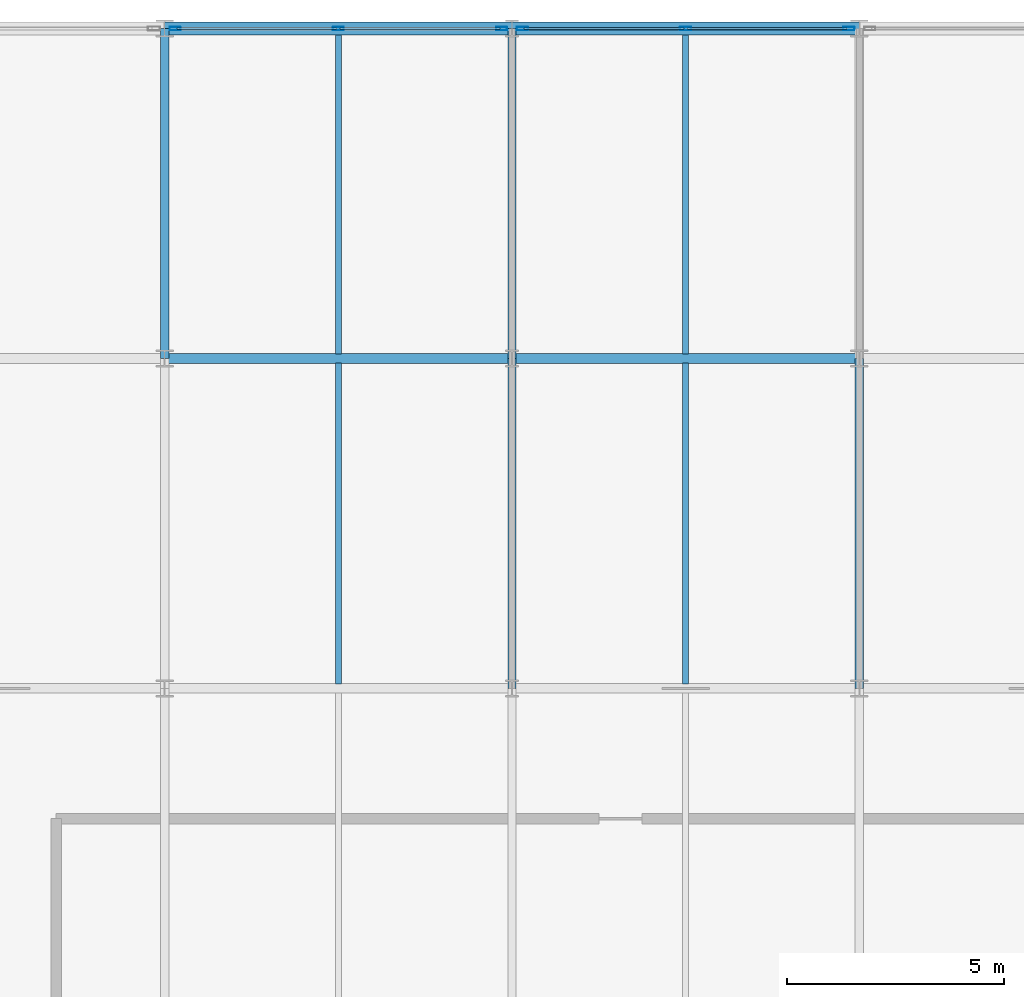
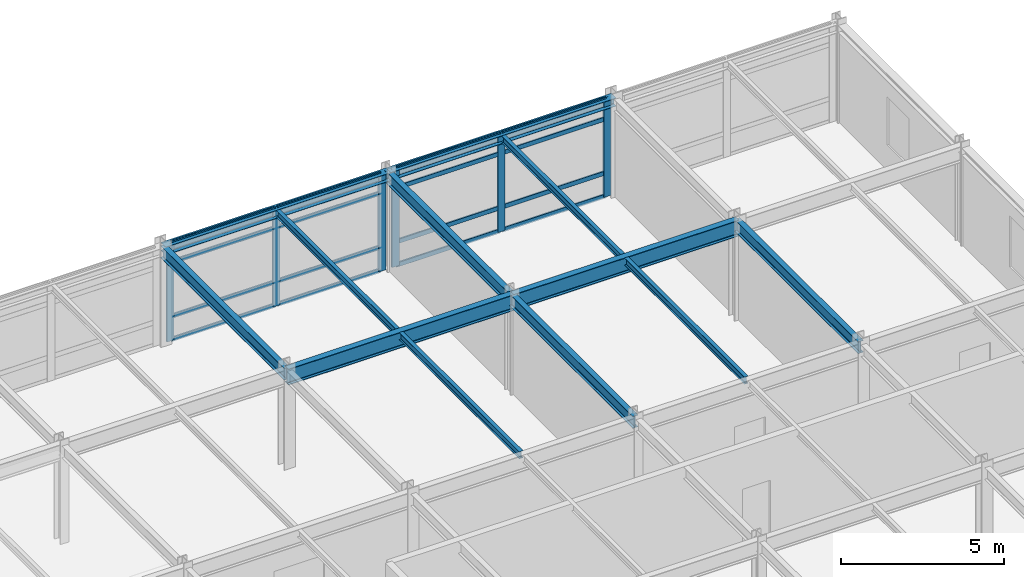
# One storey, part 8 of 14: 22 members, 12 beams, 2 elements without a shape of their own.
"""IFC4 building model written with IfcOpenShell, lengths in metres."""

from ifc_helpers import new_model, si_unit, direction, frame, origin, origin_2d, place, context, subcontext, project, spatial, hollow_rectangle, i_section, extrude, material, layer, layer_set, material_profile, profile_set, type_object, element, aggregate, save


model = new_model("IFC4")

# Units and contexts
model_context = context("Model", 3, precision=1e-05, world=origin(), true_north=direction((0.0, 1.0)))
body_context = subcontext(model_context, "Body", "Model", "MODEL_VIEW")
ifc_project = project(units=[si_unit("LENGTHUNIT", "METRE"), si_unit("AREAUNIT", "SQUARE_METRE"), si_unit("VOLUMEUNIT", "CUBIC_METRE"), si_unit("PLANEANGLEUNIT", "RADIAN"), si_unit("MASSUNIT", "GRAM", prefix="KILO")], contexts=[model_context])

# Site, building, storey
site_placement = place(None, origin())
site = spatial("IfcSite", under=ifc_project, at=site_placement, CompositionType="ELEMENT")
building_placement = place(site_placement, origin())
building = spatial("IfcBuilding", under=site, at=building_placement, Name="Shalkamar Park Central Library", CompositionType="ELEMENT")
storey_placement = place(building_placement, frame((0.0, 0.0, 32.10009765625)))
storey = spatial("IfcBuildingStorey", under=building, at=storey_placement, Name="L08", CompositionType="ELEMENT", Elevation=32.10009765625)

# Beams
ifc_material_1 = material(Name="Steel S355", Category="steel")
ifc_material_profile_1 = material_profile(ifc_material_1, i_section(OverallWidth=0.135009765625, OverallDepth=0.27001953125, WebThickness=0.006591796875, FlangeThickness=0.01025390625, FilletRadius=0.014892578125, at=origin_2d()), Name="IPE 270")
ifc_profile_set_1 = profile_set([ifc_material_profile_1], Name="Steel S355")
beam_type_1 = type_object("IfcBeamType", Name="Composite Floor Joist IPE270", PredefinedType="JOIST", material=ifc_profile_set_1)
beam_1_placement = place(storey_placement, frame((201.0, 278.10791015625, 3.544921875), z_axis=(0.0, 1.0, 0.0), x_axis=(-1.0, 0.0, 0.0)))
element("IfcBeam", 1, at=beam_1_placement, inside=storey, type_object=beam_type_1, Name="Composite Joist 11/F-1 (L08)", PredefinedType="JOIST", context=body_context, shape_type="SweptSolid", body=[
    extrude(i_section(OverallWidth=0.135009765625, OverallDepth=0.27001953125, WebThickness=0.006591796875, FlangeThickness=0.01025390625, FilletRadius=0.014892578125, at=origin_2d()), origin(), (0.0, 0.0, 1.0), 7.384033203125),
])
beam_2_placement = place(storey_placement, frame((201.0, 285.7080078125, 3.544921875), z_axis=(0.0, 1.0, 0.0), x_axis=(-1.0, 0.0, 0.0)))
element("IfcBeam", 2, at=beam_2_placement, inside=storey, type_object=beam_type_1, Name="Composite Joist 11/G-1 (L08)", PredefinedType="JOIST", context=body_context, shape_type="SweptSolid", body=[
    extrude(i_section(OverallWidth=0.135009765625, OverallDepth=0.27001953125, WebThickness=0.006591796875, FlangeThickness=0.01025390625, FilletRadius=0.014892578125, at=origin_2d()), origin(), (0.0, 0.0, 1.0), 7.343994140625),
])
beam_3_placement = place(storey_placement, frame((209.0, 278.10791015625, 3.544921875), z_axis=(0.0, 1.0, 0.0), x_axis=(-1.0, 0.0, 0.0)))
element("IfcBeam", 3, at=beam_3_placement, inside=storey, type_object=beam_type_1, Name="Composite Joist 12/F-1 (L08)", PredefinedType="JOIST", context=body_context, shape_type="SweptSolid", body=[
    extrude(i_section(OverallWidth=0.135009765625, OverallDepth=0.27001953125, WebThickness=0.006591796875, FlangeThickness=0.01025390625, FilletRadius=0.014892578125, at=origin_2d()), origin(), (0.0, 0.0, 1.0), 7.384033203125),
])
beam_4_placement = place(storey_placement, frame((209.0, 285.7080078125, 3.544921875), z_axis=(0.0, 1.0, 0.0), x_axis=(-1.0, 0.0, 0.0)))
element("IfcBeam", 4, at=beam_4_placement, inside=storey, type_object=beam_type_1, Name="Composite Joist 12/G-1 (L08)", PredefinedType="JOIST", context=body_context, shape_type="SweptSolid", body=[
    extrude(i_section(OverallWidth=0.135009765625, OverallDepth=0.27001953125, WebThickness=0.006591796875, FlangeThickness=0.01025390625, FilletRadius=0.014892578125, at=origin_2d()), origin(), (0.0, 0.0, 1.0), 7.343994140625),
])

# Curtain wall, members
ifc_material_2 = material(Name="Thermally broken aluminium and triple low-e curtain wall", Category="aluminium")
ifc_layer_1 = layer(ifc_material_2, 0.25)
ifc_layer_set_1 = layer_set([ifc_layer_1], Name="UnitisedCurtainWall_79")
curtain_wall_type_1 = type_object("IfcCurtainWallType", Name="Unitised Curtain Wall 79", PredefinedType="USERDEFINED", material=ifc_layer_set_1)
curtain_wall_1_placement = place(storey_placement, origin())
curtain_wall_1 = element("IfcCurtainWall", 5, at=curtain_wall_1_placement, inside=storey, type_object=curtain_wall_type_1, Name="Unitised Curtain Wall CW-L08-109", ObjectType="UNITISED CURTAIN WALL", PredefinedType="USERDEFINED")
ifc_material_3 = material(Name="Aluminium 6060-T66", Category="aluminium")
ifc_material_profile_2 = material_profile(ifc_material_3, hollow_rectangle(XDim=0.074951171875, YDim=0.25, WallThickness=0.00390625, InnerFilletRadius=0.00390625, OuterFilletRadius=0.006103515625, at=origin_2d()), Name="ALU 75x250x4")
ifc_profile_set_2 = profile_set([ifc_material_profile_2], Name="Aluminium 6060-T66")
member_type_1 = type_object("IfcMemberType", Name="Curtain Wall Mullion ALU75x250", PredefinedType="MULLION", material=ifc_profile_set_2)
member_1_placement = place(storey_placement, frame((197.240478515625, 293.199951171875, 0.0), z_axis=(0.0, 0.0, 1.0), x_axis=(0.0, 1.0, 0.0)))
member_1 = element("IfcMember", 6, at=member_1_placement, type_object=member_type_1, Name="CW-79 mullion 1", PredefinedType="MULLION", context=body_context, shape_type="SweptSolid", body=[
    extrude(hollow_rectangle(XDim=0.074951171875, YDim=0.25, WallThickness=0.00390625, InnerFilletRadius=0.00390625, OuterFilletRadius=0.006103515625, at=origin_2d()), origin(), (0.0, 0.0, 1.0), 3.679931640625),
])
member_2_placement = place(storey_placement, frame((201.000732421875, 293.199951171875, 0.0), z_axis=(0.0, 0.0, 1.0), x_axis=(0.0, 1.0, 0.0)))
member_2 = element("IfcMember", 7, at=member_2_placement, type_object=member_type_1, Name="CW-79 mullion 2", PredefinedType="MULLION", context=body_context, shape_type="SweptSolid", body=[
    extrude(hollow_rectangle(XDim=0.074951171875, YDim=0.25, WallThickness=0.00390625, InnerFilletRadius=0.00390625, OuterFilletRadius=0.006103515625, at=origin_2d()), origin(), (0.0, 0.0, 1.0), 3.679931640625),
])
member_3_placement = place(storey_placement, frame((204.760986328125, 293.199951171875, 0.0), z_axis=(0.0, 0.0, 1.0), x_axis=(0.0, 1.0, 0.0)))
member_3 = element("IfcMember", 8, at=member_3_placement, type_object=member_type_1, Name="CW-79 mullion 3", PredefinedType="MULLION", context=body_context, shape_type="SweptSolid", body=[
    extrude(hollow_rectangle(XDim=0.074951171875, YDim=0.25, WallThickness=0.00390625, InnerFilletRadius=0.00390625, OuterFilletRadius=0.006103515625, at=origin_2d()), origin(), (0.0, 0.0, 1.0), 3.679931640625),
])

ifc_layer_2 = layer(ifc_material_2, 0.260009765625)
ifc_layer_set_2 = layer_set([ifc_layer_2], Name="UnitisedCurtainWall_80")
curtain_wall_type_2 = type_object("IfcCurtainWallType", Name="Unitised Curtain Wall 80", PredefinedType="USERDEFINED", material=ifc_layer_set_2)
curtain_wall_2_placement = place(storey_placement, origin())
curtain_wall_2 = element("IfcCurtainWall", 9, at=curtain_wall_2_placement, inside=storey, type_object=curtain_wall_type_2, Name="Unitised Curtain Wall CW-L08-110", ObjectType="UNITISED CURTAIN WALL", PredefinedType="USERDEFINED")
ifc_material_profile_3 = material_profile(ifc_material_3, hollow_rectangle(XDim=0.074951171875, YDim=0.260009765625, WallThickness=0.00439453125, InnerFilletRadius=0.00439453125, OuterFilletRadius=0.0068359375, at=origin_2d()), Name="ALU 75x260x4.5")
ifc_profile_set_3 = profile_set([ifc_material_profile_3], Name="Aluminium 6060-T66")
member_type_2 = type_object("IfcMemberType", Name="Curtain Wall Mullion ALU75x260", PredefinedType="MULLION", material=ifc_profile_set_3)
member_4_placement = place(storey_placement, frame((205.239013671875, 293.199951171875, 0.0), z_axis=(0.0, 0.0, 1.0), x_axis=(0.0, 1.0, 0.0)))
member_4 = element("IfcMember", 10, at=member_4_placement, type_object=member_type_2, Name="CW-80 mullion 1", PredefinedType="MULLION", context=body_context, shape_type="SweptSolid", body=[
    extrude(hollow_rectangle(XDim=0.074951171875, YDim=0.260009765625, WallThickness=0.00439453125, InnerFilletRadius=0.00439453125, OuterFilletRadius=0.0068359375, at=origin_2d()), origin(), (0.0, 0.0, 1.0), 3.679931640625),
])
member_5_placement = place(storey_placement, frame((208.999267578125, 293.199951171875, 0.0), z_axis=(0.0, 0.0, 1.0), x_axis=(0.0, 1.0, 0.0)))
member_5 = element("IfcMember", 11, at=member_5_placement, type_object=member_type_2, Name="CW-80 mullion 2", PredefinedType="MULLION", context=body_context, shape_type="SweptSolid", body=[
    extrude(hollow_rectangle(XDim=0.074951171875, YDim=0.260009765625, WallThickness=0.00439453125, InnerFilletRadius=0.00439453125, OuterFilletRadius=0.0068359375, at=origin_2d()), origin(), (0.0, 0.0, 1.0), 3.679931640625),
])
member_6_placement = place(storey_placement, frame((212.759521484375, 293.199951171875, 0.0), z_axis=(0.0, 0.0, 1.0), x_axis=(0.0, 1.0, 0.0)))
member_6 = element("IfcMember", 12, at=member_6_placement, type_object=member_type_2, Name="CW-80 mullion 3", PredefinedType="MULLION", context=body_context, shape_type="SweptSolid", body=[
    extrude(hollow_rectangle(XDim=0.074951171875, YDim=0.260009765625, WallThickness=0.00439453125, InnerFilletRadius=0.00439453125, OuterFilletRadius=0.0068359375, at=origin_2d()), origin(), (0.0, 0.0, 1.0), 3.679931640625),
])

# Member
ifc_material_profile_4 = material_profile(ifc_material_3, hollow_rectangle(XDim=0.06005859375, YDim=0.159912109375, WallThickness=0.00390625, InnerFilletRadius=0.00390625, OuterFilletRadius=0.006103515625, at=origin_2d()), Name="ALU 60x160x4")
ifc_profile_set_4 = profile_set([ifc_material_profile_4], Name="Aluminium 6060-T66")
member_type_3 = type_object("IfcMemberType", Name="Curtain Wall Transom ALU60x160", PredefinedType="USERDEFINED", material=ifc_profile_set_4)
member_7_placement = place(storey_placement, frame((197.278076171875, 293.199951171875, 0.02978515625), z_axis=(1.0, 0.0, 0.0), x_axis=(0.0, 1.0, 0.0)))
member_7 = element("IfcMember", 13, at=member_7_placement, type_object=member_type_3, Name="CW-79 transom 1.1", ObjectType="TRANSOM", PredefinedType="USERDEFINED", context=body_context, shape_type="SweptSolid", body=[
    extrude(hollow_rectangle(XDim=0.06005859375, YDim=0.159912109375, WallThickness=0.00390625, InnerFilletRadius=0.00390625, OuterFilletRadius=0.006103515625, at=origin_2d()), origin(), (0.0, 0.0, 1.0), 3.68505859375),
])

member_8_placement = place(storey_placement, frame((197.278076171875, 293.199951171875, 0.89990234375), z_axis=(1.0, 0.0, 0.0), x_axis=(0.0, 1.0, 0.0)))
member_8 = element("IfcMember", 14, at=member_8_placement, type_object=member_type_3, Name="CW-79 transom 1.2", ObjectType="TRANSOM", PredefinedType="USERDEFINED", context=body_context, shape_type="SweptSolid", body=[
    extrude(hollow_rectangle(XDim=0.06005859375, YDim=0.159912109375, WallThickness=0.00390625, InnerFilletRadius=0.00390625, OuterFilletRadius=0.006103515625, at=origin_2d()), origin(), (0.0, 0.0, 1.0), 3.68505859375),
])

member_9_placement = place(storey_placement, frame((197.278076171875, 293.199951171875, 2.929931640625), z_axis=(1.0, 0.0, 0.0), x_axis=(0.0, 1.0, 0.0)))
member_9 = element("IfcMember", 15, at=member_9_placement, type_object=member_type_3, Name="CW-79 transom 1.3", ObjectType="TRANSOM", PredefinedType="USERDEFINED", context=body_context, shape_type="SweptSolid", body=[
    extrude(hollow_rectangle(XDim=0.06005859375, YDim=0.159912109375, WallThickness=0.00390625, InnerFilletRadius=0.00390625, OuterFilletRadius=0.006103515625, at=origin_2d()), origin(), (0.0, 0.0, 1.0), 3.68505859375),
])

member_10_placement = place(storey_placement, frame((197.278076171875, 293.199951171875, 3.64990234375), z_axis=(1.0, 0.0, 0.0), x_axis=(0.0, 1.0, 0.0)))
member_10 = element("IfcMember", 16, at=member_10_placement, type_object=member_type_3, Name="CW-79 transom 1.4", ObjectType="TRANSOM", PredefinedType="USERDEFINED", context=body_context, shape_type="SweptSolid", body=[
    extrude(hollow_rectangle(XDim=0.06005859375, YDim=0.159912109375, WallThickness=0.00390625, InnerFilletRadius=0.00390625, OuterFilletRadius=0.006103515625, at=origin_2d()), origin(), (0.0, 0.0, 1.0), 3.68505859375),
])

member_11_placement = place(storey_placement, frame((201.038330078125, 293.199951171875, 0.02978515625), z_axis=(1.0, 0.0, 0.0), x_axis=(0.0, 1.0, 0.0)))
member_11 = element("IfcMember", 17, at=member_11_placement, type_object=member_type_3, Name="CW-79 transom 2.1", ObjectType="TRANSOM", PredefinedType="USERDEFINED", context=body_context, shape_type="SweptSolid", body=[
    extrude(hollow_rectangle(XDim=0.06005859375, YDim=0.159912109375, WallThickness=0.00390625, InnerFilletRadius=0.00390625, OuterFilletRadius=0.006103515625, at=origin_2d()), origin(), (0.0, 0.0, 1.0), 3.68505859375),
])

member_12_placement = place(storey_placement, frame((201.038330078125, 293.199951171875, 0.89990234375), z_axis=(1.0, 0.0, 0.0), x_axis=(0.0, 1.0, 0.0)))
member_12 = element("IfcMember", 18, at=member_12_placement, type_object=member_type_3, Name="CW-79 transom 2.2", ObjectType="TRANSOM", PredefinedType="USERDEFINED", context=body_context, shape_type="SweptSolid", body=[
    extrude(hollow_rectangle(XDim=0.06005859375, YDim=0.159912109375, WallThickness=0.00390625, InnerFilletRadius=0.00390625, OuterFilletRadius=0.006103515625, at=origin_2d()), origin(), (0.0, 0.0, 1.0), 3.68505859375),
])

member_13_placement = place(storey_placement, frame((201.038330078125, 293.199951171875, 2.929931640625), z_axis=(1.0, 0.0, 0.0), x_axis=(0.0, 1.0, 0.0)))
member_13 = element("IfcMember", 19, at=member_13_placement, type_object=member_type_3, Name="CW-79 transom 2.3", ObjectType="TRANSOM", PredefinedType="USERDEFINED", context=body_context, shape_type="SweptSolid", body=[
    extrude(hollow_rectangle(XDim=0.06005859375, YDim=0.159912109375, WallThickness=0.00390625, InnerFilletRadius=0.00390625, OuterFilletRadius=0.006103515625, at=origin_2d()), origin(), (0.0, 0.0, 1.0), 3.68505859375),
])

member_14_placement = place(storey_placement, frame((201.038330078125, 293.199951171875, 3.64990234375), z_axis=(1.0, 0.0, 0.0), x_axis=(0.0, 1.0, 0.0)))
member_14 = element("IfcMember", 20, at=member_14_placement, type_object=member_type_3, Name="CW-79 transom 2.4", ObjectType="TRANSOM", PredefinedType="USERDEFINED", context=body_context, shape_type="SweptSolid", body=[
    extrude(hollow_rectangle(XDim=0.06005859375, YDim=0.159912109375, WallThickness=0.00390625, InnerFilletRadius=0.00390625, OuterFilletRadius=0.006103515625, at=origin_2d()), origin(), (0.0, 0.0, 1.0), 3.68505859375),
])

aggregate(curtain_wall_1, [member_1, member_2, member_3, member_7, member_8, member_9, member_10, member_11, member_12, member_13, member_14])

ifc_material_profile_5 = material_profile(ifc_material_3, hollow_rectangle(XDim=0.06005859375, YDim=0.1650390625, WallThickness=0.00390625, InnerFilletRadius=0.00390625, OuterFilletRadius=0.006103515625, at=origin_2d()), Name="ALU 60x165x4")
ifc_profile_set_5 = profile_set([ifc_material_profile_5], Name="Aluminium 6060-T66")
member_type_4 = type_object("IfcMemberType", Name="Curtain Wall Transom ALU60x165", PredefinedType="USERDEFINED", material=ifc_profile_set_5)
member_15_placement = place(storey_placement, frame((205.276611328125, 293.199951171875, 0.02978515625), z_axis=(1.0, 0.0, 0.0), x_axis=(0.0, 1.0, 0.0)))
member_15 = element("IfcMember", 21, at=member_15_placement, type_object=member_type_4, Name="CW-80 transom 1.1", ObjectType="TRANSOM", PredefinedType="USERDEFINED", context=body_context, shape_type="SweptSolid", body=[
    extrude(hollow_rectangle(XDim=0.06005859375, YDim=0.1650390625, WallThickness=0.00390625, InnerFilletRadius=0.00390625, OuterFilletRadius=0.006103515625, at=origin_2d()), origin(), (0.0, 0.0, 1.0), 3.68505859375),
])

member_16_placement = place(storey_placement, frame((205.276611328125, 293.199951171875, 0.89990234375), z_axis=(1.0, 0.0, 0.0), x_axis=(0.0, 1.0, 0.0)))
member_16 = element("IfcMember", 22, at=member_16_placement, type_object=member_type_4, Name="CW-80 transom 1.2", ObjectType="TRANSOM", PredefinedType="USERDEFINED", context=body_context, shape_type="SweptSolid", body=[
    extrude(hollow_rectangle(XDim=0.06005859375, YDim=0.1650390625, WallThickness=0.00390625, InnerFilletRadius=0.00390625, OuterFilletRadius=0.006103515625, at=origin_2d()), origin(), (0.0, 0.0, 1.0), 3.68505859375),
])

member_17_placement = place(storey_placement, frame((205.276611328125, 293.199951171875, 2.929931640625), z_axis=(1.0, 0.0, 0.0), x_axis=(0.0, 1.0, 0.0)))
member_17 = element("IfcMember", 23, at=member_17_placement, type_object=member_type_4, Name="CW-80 transom 1.3", ObjectType="TRANSOM", PredefinedType="USERDEFINED", context=body_context, shape_type="SweptSolid", body=[
    extrude(hollow_rectangle(XDim=0.06005859375, YDim=0.1650390625, WallThickness=0.00390625, InnerFilletRadius=0.00390625, OuterFilletRadius=0.006103515625, at=origin_2d()), origin(), (0.0, 0.0, 1.0), 3.68505859375),
])

member_18_placement = place(storey_placement, frame((205.276611328125, 293.199951171875, 3.64990234375), z_axis=(1.0, 0.0, 0.0), x_axis=(0.0, 1.0, 0.0)))
member_18 = element("IfcMember", 24, at=member_18_placement, type_object=member_type_4, Name="CW-80 transom 1.4", ObjectType="TRANSOM", PredefinedType="USERDEFINED", context=body_context, shape_type="SweptSolid", body=[
    extrude(hollow_rectangle(XDim=0.06005859375, YDim=0.1650390625, WallThickness=0.00390625, InnerFilletRadius=0.00390625, OuterFilletRadius=0.006103515625, at=origin_2d()), origin(), (0.0, 0.0, 1.0), 3.68505859375),
])

member_19_placement = place(storey_placement, frame((209.036865234375, 293.199951171875, 0.02978515625), z_axis=(1.0, 0.0, 0.0), x_axis=(0.0, 1.0, 0.0)))
member_19 = element("IfcMember", 25, at=member_19_placement, type_object=member_type_4, Name="CW-80 transom 2.1", ObjectType="TRANSOM", PredefinedType="USERDEFINED", context=body_context, shape_type="SweptSolid", body=[
    extrude(hollow_rectangle(XDim=0.06005859375, YDim=0.1650390625, WallThickness=0.00390625, InnerFilletRadius=0.00390625, OuterFilletRadius=0.006103515625, at=origin_2d()), origin(), (0.0, 0.0, 1.0), 3.68505859375),
])

member_20_placement = place(storey_placement, frame((209.036865234375, 293.199951171875, 0.89990234375), z_axis=(1.0, 0.0, 0.0), x_axis=(0.0, 1.0, 0.0)))
member_20 = element("IfcMember", 26, at=member_20_placement, type_object=member_type_4, Name="CW-80 transom 2.2", ObjectType="TRANSOM", PredefinedType="USERDEFINED", context=body_context, shape_type="SweptSolid", body=[
    extrude(hollow_rectangle(XDim=0.06005859375, YDim=0.1650390625, WallThickness=0.00390625, InnerFilletRadius=0.00390625, OuterFilletRadius=0.006103515625, at=origin_2d()), origin(), (0.0, 0.0, 1.0), 3.68505859375),
])

member_21_placement = place(storey_placement, frame((209.036865234375, 293.199951171875, 2.929931640625), z_axis=(1.0, 0.0, 0.0), x_axis=(0.0, 1.0, 0.0)))
member_21 = element("IfcMember", 27, at=member_21_placement, type_object=member_type_4, Name="CW-80 transom 2.3", ObjectType="TRANSOM", PredefinedType="USERDEFINED", context=body_context, shape_type="SweptSolid", body=[
    extrude(hollow_rectangle(XDim=0.06005859375, YDim=0.1650390625, WallThickness=0.00390625, InnerFilletRadius=0.00390625, OuterFilletRadius=0.006103515625, at=origin_2d()), origin(), (0.0, 0.0, 1.0), 3.68505859375),
])

member_22_placement = place(storey_placement, frame((209.036865234375, 293.199951171875, 3.64990234375), z_axis=(1.0, 0.0, 0.0), x_axis=(0.0, 1.0, 0.0)))
member_22 = element("IfcMember", 28, at=member_22_placement, type_object=member_type_4, Name="CW-80 transom 2.4", ObjectType="TRANSOM", PredefinedType="USERDEFINED", context=body_context, shape_type="SweptSolid", body=[
    extrude(hollow_rectangle(XDim=0.06005859375, YDim=0.1650390625, WallThickness=0.00390625, InnerFilletRadius=0.00390625, OuterFilletRadius=0.006103515625, at=origin_2d()), origin(), (0.0, 0.0, 1.0), 3.68505859375),
])

aggregate(curtain_wall_2, [member_4, member_5, member_6, member_15, member_16, member_17, member_18, member_19, member_20, member_21, member_22])

# Beams
ifc_material_profile_6 = material_profile(ifc_material_1, i_section(OverallWidth=0.300048828125, OverallDepth=0.31005859375, WebThickness=0.009033203125, FlangeThickness=0.015380859375, FilletRadius=0.027099609375, at=origin_2d()), Name="HEA 320")
ifc_profile_set_6 = profile_set([ifc_material_profile_6], Name="Steel S355")
beam_type_2 = type_object("IfcBeamType", Name="Perimeter Spandrel Beam HEA320", PredefinedType="SPANDREL", material=ifc_profile_set_6)
for number, where, z_axis, x_axis, name in (
    (29, (197.0, 293.199951171875, 3.52490234375), (1.0, 0.0, 0.0), (0.0, 1.0, 0.0), "Beam H:11-12 (L08)"),
    (30, (205.0, 293.199951171875, 3.52490234375), (1.0, 0.0, 0.0), (0.0, 1.0, 0.0), "Beam H:12-13 (L08)"),
):
    element("IfcBeam", number, at=place(storey_placement, frame(where, z_axis=z_axis, x_axis=x_axis)), inside=storey, type_object=beam_type_2, Name=name, PredefinedType="SPANDREL", context=body_context, shape_type="SweptSolid", body=[
        extrude(i_section(OverallWidth=0.300048828125, OverallDepth=0.31005859375, WebThickness=0.009033203125, FlangeThickness=0.015380859375, FilletRadius=0.027099609375, at=origin_2d()), origin(), (0.0, 0.0, 1.0), 8.0),
    ])
ifc_material_profile_7 = material_profile(ifc_material_1, i_section(OverallWidth=0.18994140625, OverallDepth=0.449951171875, WebThickness=0.009521484375, FlangeThickness=0.0146484375, FilletRadius=0.02099609375, at=origin_2d()), Name="IPE 450")
ifc_profile_set_7 = profile_set([ifc_material_profile_7], Name="Steel S355")
beam_type_3 = type_object("IfcBeamType", Name="Primary Girder IPE450", PredefinedType="BEAM", material=ifc_profile_set_7)
beam_5_placement = place(storey_placement, frame((197.0, 285.60009765625, 3.454833984375), z_axis=(0.0, 1.0, 0.0), x_axis=(-1.0, 0.0, 0.0)))
element("IfcBeam", 31, at=beam_5_placement, inside=storey, type_object=beam_type_3, Name="Beam 11:G-H (L08)", PredefinedType="BEAM", context=body_context, shape_type="SweptSolid", body=[
    extrude(i_section(OverallWidth=0.18994140625, OverallDepth=0.449951171875, WebThickness=0.009521484375, FlangeThickness=0.0146484375, FilletRadius=0.02099609375, at=origin_2d()), origin(), (0.0, 0.0, 1.0), 7.599853515625),
])
beam_6_placement = place(storey_placement, frame((205.0, 278.0, 3.454833984375), z_axis=(0.0, 1.0, 0.0), x_axis=(-1.0, 0.0, 0.0)))
element("IfcBeam", 32, at=beam_6_placement, inside=storey, type_object=beam_type_3, Name="Beam 12:F-G (L08)", PredefinedType="BEAM", context=body_context, shape_type="SweptSolid", body=[
    extrude(i_section(OverallWidth=0.18994140625, OverallDepth=0.449951171875, WebThickness=0.009521484375, FlangeThickness=0.0146484375, FilletRadius=0.02099609375, at=origin_2d()), origin(), (0.0, 0.0, 1.0), 7.60009765625),
])
beam_7_placement = place(storey_placement, frame((205.0, 285.60009765625, 3.454833984375), z_axis=(0.0, 1.0, 0.0), x_axis=(-1.0, 0.0, 0.0)))
element("IfcBeam", 33, at=beam_7_placement, inside=storey, type_object=beam_type_3, Name="Beam 12:G-H (L08)", PredefinedType="BEAM", context=body_context, shape_type="SweptSolid", body=[
    extrude(i_section(OverallWidth=0.18994140625, OverallDepth=0.449951171875, WebThickness=0.009521484375, FlangeThickness=0.0146484375, FilletRadius=0.02099609375, at=origin_2d()), origin(), (0.0, 0.0, 1.0), 7.599853515625),
])
beam_8_placement = place(storey_placement, frame((213.0, 278.0, 3.454833984375), z_axis=(0.0, 1.0, 0.0), x_axis=(-1.0, 0.0, 0.0)))
element("IfcBeam", 34, at=beam_8_placement, inside=storey, type_object=beam_type_3, Name="Beam 13:F-G (L08)", PredefinedType="BEAM", context=body_context, shape_type="SweptSolid", body=[
    extrude(i_section(OverallWidth=0.18994140625, OverallDepth=0.449951171875, WebThickness=0.009521484375, FlangeThickness=0.0146484375, FilletRadius=0.02099609375, at=origin_2d()), origin(), (0.0, 0.0, 1.0), 7.60009765625),
])
ifc_material_profile_8 = material_profile(ifc_material_1, i_section(OverallWidth=0.219970703125, OverallDepth=0.60009765625, WebThickness=0.011962890625, FlangeThickness=0.01904296875, FilletRadius=0.02392578125, at=origin_2d()), Name="IPE 600")
ifc_profile_set_8 = profile_set([ifc_material_profile_8], Name="Steel S355")
beam_type_4 = type_object("IfcBeamType", Name="Primary Girder IPE600", PredefinedType="BEAM", material=ifc_profile_set_8)
for number, where, z_axis, x_axis, name in (
    (35, (197.0, 285.60009765625, 3.3798828125), (1.0, 0.0, 0.0), (0.0, 1.0, 0.0), "Beam G:11-12 (L08)"),
    (36, (205.0, 285.60009765625, 3.3798828125), (1.0, 0.0, 0.0), (0.0, 1.0, 0.0), "Beam G:12-13 (L08)"),
):
    element("IfcBeam", number, at=place(storey_placement, frame(where, z_axis=z_axis, x_axis=x_axis)), inside=storey, type_object=beam_type_4, Name=name, PredefinedType="BEAM", context=body_context, shape_type="SweptSolid", body=[
        extrude(i_section(OverallWidth=0.219970703125, OverallDepth=0.60009765625, WebThickness=0.011962890625, FlangeThickness=0.01904296875, FilletRadius=0.02392578125, at=origin_2d()), origin(), (0.0, 0.0, 1.0), 8.0),
    ])

save(model, "model.ifc")
